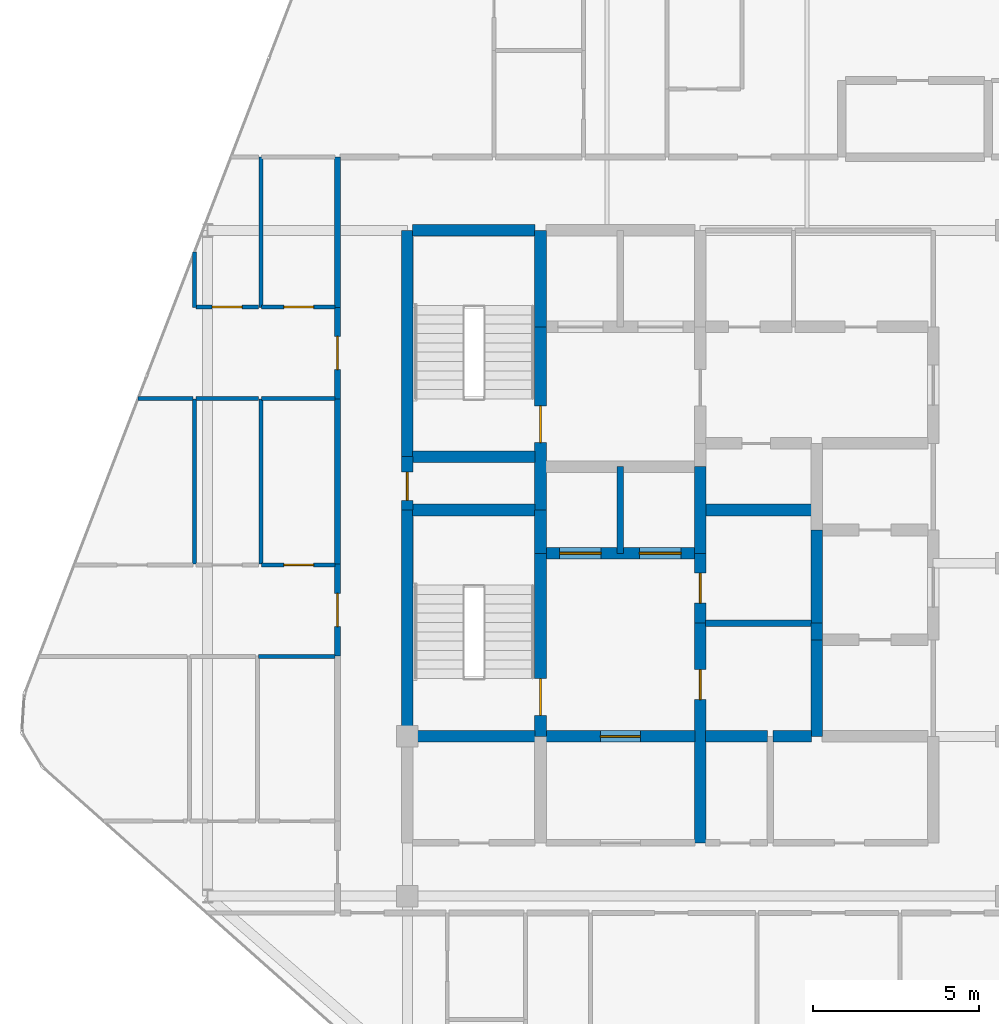
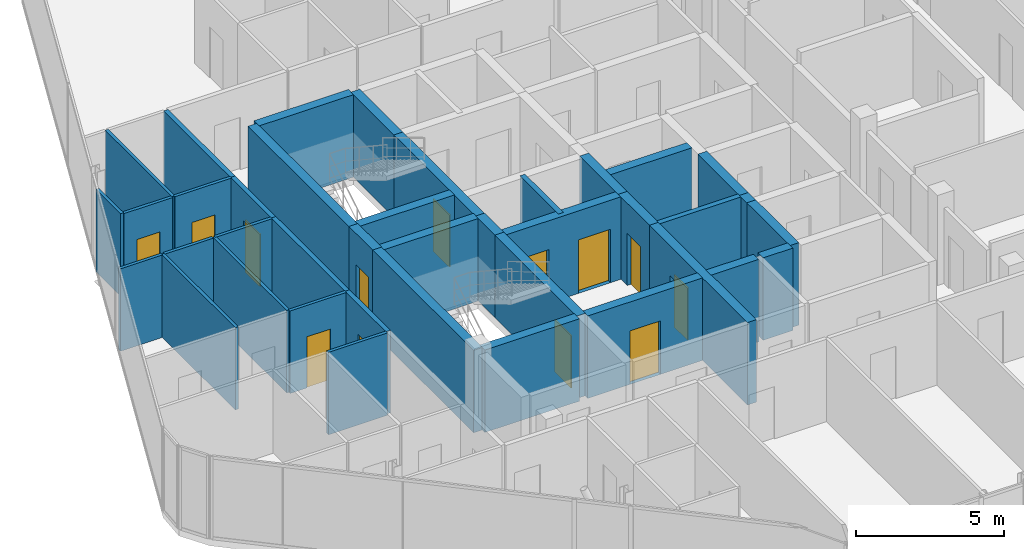
# One storey, part 23 of 27: 39 walls, 13 doors, 13 openings.
"""IFC4 building model written with IfcOpenShell, lengths in metres."""

from ifc_helpers import new_model, si_unit, direction, frame, frame_2d, origin, place, context, subcontext, project, spatial, rectangle, extrude, material, layer, layer_set, type_object, element, fill, save


model = new_model("IFC4")

# Units and contexts
model_context = context("Model", 3, precision=1e-05, world=origin(), true_north=direction((0.0, 1.0)))
body_context = subcontext(model_context, "Body", "Model", "MODEL_VIEW")
ifc_project = project(units=[si_unit("LENGTHUNIT", "METRE"), si_unit("AREAUNIT", "SQUARE_METRE"), si_unit("VOLUMEUNIT", "CUBIC_METRE"), si_unit("PLANEANGLEUNIT", "RADIAN"), si_unit("MASSUNIT", "GRAM", prefix="KILO")], contexts=[model_context])

# Site, building, storey
site_placement = place(None, origin())
site = spatial("IfcSite", under=ifc_project, at=site_placement, CompositionType="ELEMENT")
building_placement = place(site_placement, origin())
building = spatial("IfcBuilding", under=site, at=building_placement, Name="Keshet Zoharim Tower", CompositionType="ELEMENT")
storey_placement = place(building_placement, frame((0.0, 0.0, 291.699951171875)))
storey = spatial("IfcBuildingStorey", under=building, at=storey_placement, Name="L73", CompositionType="ELEMENT", Elevation=291.699951171875)

# Wall
ifc_material_1 = material(Name="Concrete C60/75", Category="concrete")
ifc_layer_1 = layer(ifc_material_1, 0.35009765625)
ifc_layer_set_1 = layer_set([ifc_layer_1], Name="Concrete C60/75")
wall_type_1 = type_object("IfcWallType", Name="WL-CORE-350", PredefinedType="SHEAR", material=ifc_layer_set_1)
wall_1_placement = place(storey_placement, frame((15.0, 22.699951171875, 0.0), z_axis=(0.0, 0.0, 1.0), x_axis=(0.0, 1.0, 0.0)))
element("IfcWall", 1, at=wall_1_placement, inside=storey, type_object=wall_type_1, Name="L73 Core Shear Wall 014", PredefinedType="SHEAR", context=body_context, shape_type="SweptSolid", body=[
    extrude(rectangle(XDim=6.800048828125, YDim=0.35009765625, at=frame_2d((3.39990234375, 0.0))), origin(), (0.0, 0.0, 1.0), 3.39013671875),
])

# Wall, opening, door
wall_2_placement = place(storey_placement, frame((15.0, 29.5, 0.0), z_axis=(0.0, 0.0, 1.0), x_axis=(0.0, 1.0, 0.0)))
wall_2 = element("IfcWall", 2, at=wall_2_placement, inside=storey, type_object=wall_type_1, Name="L73 Core Shear Wall 015", PredefinedType="SHEAR", context=body_context, shape_type="SweptSolid", body=[
    extrude(rectangle(XDim=1.60009765625, YDim=0.35009765625, at=frame_2d((0.800048828125, 0.0))), origin(), (0.0, 0.0, 1.0), 3.39013671875),
])
opening_1_placement = place(wall_2_placement, frame((0.287109375, 0.0, 0.0)))
opening_1 = element("IfcOpeningElement", 3, at=opening_1_placement, cuts=wall_2, Name="Opening D-RS85", PredefinedType="OPENING", context=body_context, shape_type="SweptSolid", body=[
    extrude(rectangle(XDim=0.85009765625, YDim=2.10009765625, at=frame_2d((0.425048828125, 1.050048828125))), frame((0.0, 0.18505859375, 0.0), z_axis=(0.0, -1.0, 0.0), x_axis=(1.0, 0.0, 0.0)), (0.0, 0.0, 1.0), 0.3701171875),
])
ifc_material_2 = material(Name="Hardwood Timber", Category="wood")
door_type_1 = type_object("IfcDoorType", Name="DR-RIS-085", OperationType="NOTDEFINED", PredefinedType="DOOR", material=ifc_material_2)
door_1_placement = place(opening_1_placement, origin())
door_1 = element("IfcDoor", 4, at=door_1_placement, inside=storey, type_object=door_type_1, Name="L73 Electrical Riser Access Cupboard Door", OperationType="SINGLE_SWING_RIGHT", OverallHeight=2.10009765625, OverallWidth=0.85009765625, PredefinedType="DOOR", context=body_context, shape_type="SweptSolid", body=[
    extrude(rectangle(XDim=0.85009765625, YDim=2.10009765625, at=frame_2d((0.425048828125, 1.050048828125))), frame((0.0, 0.02490234375, 0.0), z_axis=(0.0, -1.0, 0.0), x_axis=(1.0, 0.0, 0.0)), (0.0, 0.0, 1.0), 0.050048828125),
])
fill(opening_1, door_1)

# Wall
wall_3_placement = place(storey_placement, frame((15.0, 31.10009765625, 0.0), z_axis=(0.0, 0.0, 1.0), x_axis=(0.0, 1.0, 0.0)))
element("IfcWall", 5, at=wall_3_placement, inside=storey, type_object=wall_type_1, Name="L73 Core Shear Wall 016", PredefinedType="SHEAR", context=body_context, shape_type="SweptSolid", body=[
    extrude(rectangle(XDim=6.7998046875, YDim=0.35009765625, at=frame_2d((3.39990234375, 0.0))), origin(), (0.0, 0.0, 1.0), 3.39013671875),
])

# Wall, opening, door
wall_4_placement = place(storey_placement, frame((19.0, 22.699951171875, 0.0), z_axis=(0.0, 0.0, 1.0), x_axis=(0.0, 1.0, 0.0)))
wall_4 = element("IfcWall", 6, at=wall_4_placement, inside=storey, type_object=wall_type_1, Name="L73 Core Shear Wall 024", PredefinedType="SHEAR", context=body_context, shape_type="SweptSolid", body=[
    extrude(rectangle(XDim=5.5, YDim=0.35009765625, at=frame_2d((2.75, 0.0))), origin(), (0.0, 0.0, 1.0), 3.39013671875),
])
opening_2_placement = place(wall_4_placement, frame((0.631103515625, 0.0, 0.0)))
opening_2 = element("IfcOpeningElement", 7, at=opening_2_placement, cuts=wall_4, Name="Opening D-F611", PredefinedType="OPENING", context=body_context, shape_type="SweptSolid", body=[
    extrude(rectangle(XDim=1.10009765625, YDim=2.14990234375, at=frame_2d((0.550048828125, 1.074951171875))), frame((0.0, 0.18505859375, 0.0), z_axis=(0.0, -1.0, 0.0), x_axis=(1.0, 0.0, 0.0)), (0.0, 0.0, 1.0), 0.3701171875),
])
door_type_2 = type_object("IfcDoorType", Name="DR-FD60-110", OperationType="NOTDEFINED", PredefinedType="DOOR", material=ifc_material_2)
door_2_placement = place(opening_2_placement, origin())
door_2 = element("IfcDoor", 8, at=door_2_placement, inside=storey, type_object=door_type_2, Name="L73 Exit Stair ST-01 Fire Door", OperationType="SINGLE_SWING_RIGHT", OverallHeight=2.14990234375, OverallWidth=1.10009765625, PredefinedType="DOOR", context=body_context, shape_type="SweptSolid", body=[
    extrude(rectangle(XDim=1.10009765625, YDim=2.14990234375, at=frame_2d((0.550048828125, 1.074951171875))), frame((0.0, 0.02490234375, 0.0), z_axis=(0.0, -1.0, 0.0), x_axis=(1.0, 0.0, 0.0)), (0.0, 0.0, 1.0), 0.050048828125),
])
fill(opening_2, door_2)

# Wall
wall_5_placement = place(storey_placement, frame((19.0, 28.199951171875, 0.0), z_axis=(0.0, 0.0, 1.0), x_axis=(0.0, 1.0, 0.0)))
element("IfcWall", 9, at=wall_5_placement, inside=storey, type_object=wall_type_1, Name="L73 Core Shear Wall 025", PredefinedType="SHEAR", context=body_context, shape_type="SweptSolid", body=[
    extrude(rectangle(XDim=1.300048828125, YDim=0.35009765625, at=frame_2d((0.64990234375, 0.0))), origin(), (0.0, 0.0, 1.0), 3.39013671875),
])

# Wall, opening, door
wall_6_placement = place(storey_placement, frame((19.0, 29.5, 0.0), z_axis=(0.0, 0.0, 1.0), x_axis=(0.0, 1.0, 0.0)))
wall_6 = element("IfcWall", 10, at=wall_6_placement, inside=storey, type_object=wall_type_1, Name="L73 Core Shear Wall 026", PredefinedType="SHEAR", context=body_context, shape_type="SweptSolid", body=[
    extrude(rectangle(XDim=5.5, YDim=0.35009765625, at=frame_2d((2.75, 0.0))), origin(), (0.0, 0.0, 1.0), 3.39013671875),
])
opening_3_placement = place(wall_6_placement, frame((2.02490234375, 0.0, 0.0)))
opening_3 = element("IfcOpeningElement", 11, at=opening_3_placement, cuts=wall_6, Name="Opening D-F611", PredefinedType="OPENING", context=body_context, shape_type="SweptSolid", body=[
    extrude(rectangle(XDim=1.10009765625, YDim=2.14990234375, at=frame_2d((0.550048828125, 1.074951171875))), frame((0.0, 0.18505859375, 0.0), z_axis=(0.0, -1.0, 0.0), x_axis=(1.0, 0.0, 0.0)), (0.0, 0.0, 1.0), 0.3701171875),
])
door_3_placement = place(opening_3_placement, origin())
door_3 = element("IfcDoor", 12, at=door_3_placement, inside=storey, type_object=door_type_2, Name="L73 Exit Stair ST-02 Fire Door", OperationType="SINGLE_SWING_LEFT", OverallHeight=2.14990234375, OverallWidth=1.10009765625, PredefinedType="DOOR", context=body_context, shape_type="SweptSolid", body=[
    extrude(rectangle(XDim=1.10009765625, YDim=2.14990234375, at=frame_2d((0.550048828125, 1.074951171875))), frame((0.0, 0.02490234375, 0.0), z_axis=(0.0, -1.0, 0.0), x_axis=(1.0, 0.0, 0.0)), (0.0, 0.0, 1.0), 0.050048828125),
])
fill(opening_3, door_3)

# Wall
wall_7_placement = place(storey_placement, frame((19.0, 35.0, 0.0), z_axis=(0.0, 0.0, 1.0), x_axis=(0.0, 1.0, 0.0)))
element("IfcWall", 13, at=wall_7_placement, inside=storey, type_object=wall_type_1, Name="L73 Core Shear Wall 027", PredefinedType="SHEAR", context=body_context, shape_type="SweptSolid", body=[
    extrude(rectangle(XDim=2.89990234375, YDim=0.35009765625, at=frame_2d((1.449951171875, 0.0))), origin(), (0.0, 0.0, 1.0), 3.39013671875),
])

# Wall, opening, door
wall_8_placement = place(storey_placement, frame((23.800048828125, 19.5, 0.0), z_axis=(0.0, 0.0, 1.0), x_axis=(0.0, 1.0, 0.0)))
wall_8 = element("IfcWall", 14, at=wall_8_placement, inside=storey, type_object=wall_type_1, Name="L73 Core Shear Wall 035", PredefinedType="SHEAR", context=body_context, shape_type="SweptSolid", body=[
    extrude(rectangle(XDim=6.60009765625, YDim=0.35009765625, at=frame_2d((3.300048828125, 0.0))), origin(), (0.0, 0.0, 1.0), 3.39013671875),
])
opening_4_placement = place(wall_8_placement, frame((4.303955078125, 0.0, 0.0)))
opening_4 = element("IfcOpeningElement", 15, at=opening_4_placement, cuts=wall_8, Name="Opening D-F690", PredefinedType="OPENING", context=body_context, shape_type="SweptSolid", body=[
    extrude(rectangle(XDim=0.89990234375, YDim=2.14990234375, at=frame_2d((0.449951171875, 1.074951171875))), frame((0.0, 0.18505859375, 0.0), z_axis=(0.0, -1.0, 0.0), x_axis=(1.0, 0.0, 0.0)), (0.0, 0.0, 1.0), 0.3701171875),
])
door_type_3 = type_object("IfcDoorType", Name="DR-FD60-090", OperationType="NOTDEFINED", PredefinedType="DOOR", material=ifc_material_2)
door_4_placement = place(opening_4_placement, origin())
door_4 = element("IfcDoor", 16, at=door_4_placement, inside=storey, type_object=door_type_3, Name="L73 Core Linen Store Door", OperationType="SINGLE_SWING_LEFT", OverallHeight=2.14990234375, OverallWidth=0.89990234375, PredefinedType="DOOR", context=body_context, shape_type="SweptSolid", body=[
    extrude(rectangle(XDim=0.89990234375, YDim=2.14990234375, at=frame_2d((0.449951171875, 1.074951171875))), frame((0.0, 0.02490234375, 0.0), z_axis=(0.0, -1.0, 0.0), x_axis=(1.0, 0.0, 0.0)), (0.0, 0.0, 1.0), 0.050048828125),
])
fill(opening_4, door_4)

wall_9_placement = place(storey_placement, frame((23.800048828125, 26.10009765625, 0.0), z_axis=(0.0, 0.0, 1.0), x_axis=(0.0, 1.0, 0.0)))
wall_9 = element("IfcWall", 17, at=wall_9_placement, inside=storey, type_object=wall_type_1, Name="L73 Core Shear Wall 036", PredefinedType="SHEAR", context=body_context, shape_type="SweptSolid", body=[
    extrude(rectangle(XDim=2.099853515625, YDim=0.35009765625, at=frame_2d((1.0498046875, 0.0))), origin(), (0.0, 0.0, 1.0), 3.39013671875),
])
opening_5_placement = place(wall_9_placement, frame((0.60009765625, 0.0, 0.0)))
opening_5 = element("IfcOpeningElement", 18, at=opening_5_placement, cuts=wall_9, Name="Opening D-F690", PredefinedType="OPENING", context=body_context, shape_type="SweptSolid", body=[
    extrude(rectangle(XDim=0.89990234375, YDim=2.14990234375, at=frame_2d((0.449951171875, 1.074951171875))), frame((0.0, 0.18505859375, 0.0), z_axis=(0.0, -1.0, 0.0), x_axis=(1.0, 0.0, 0.0)), (0.0, 0.0, 1.0), 0.3701171875),
])
door_5_placement = place(opening_5_placement, origin())
door_5 = element("IfcDoor", 19, at=door_5_placement, inside=storey, type_object=door_type_3, Name="L73 Core Electrical Room Door", OperationType="SINGLE_SWING_RIGHT", OverallHeight=2.14990234375, OverallWidth=0.89990234375, PredefinedType="DOOR", context=body_context, shape_type="SweptSolid", body=[
    extrude(rectangle(XDim=0.89990234375, YDim=2.14990234375, at=frame_2d((0.449951171875, 1.074951171875))), frame((0.0, 0.02490234375, 0.0), z_axis=(0.0, -1.0, 0.0), x_axis=(1.0, 0.0, 0.0)), (0.0, 0.0, 1.0), 0.050048828125),
])
fill(opening_5, door_5)

# Walls
wall_10_placement = place(storey_placement, frame((23.800048828125, 28.199951171875, 0.0), z_axis=(0.0, 0.0, 1.0), x_axis=(0.0, 1.0, 0.0)))
element("IfcWall", 20, at=wall_10_placement, inside=storey, type_object=wall_type_1, Name="L73 Core Shear Wall 037", PredefinedType="SHEAR", context=body_context, shape_type="SweptSolid", body=[
    extrude(rectangle(XDim=2.60009765625, YDim=0.35009765625, at=frame_2d((1.300048828125, 0.0))), origin(), (0.0, 0.0, 1.0), 3.39013671875),
])
wall_11_placement = place(storey_placement, frame((27.300048828125, 22.699951171875, 0.0), z_axis=(0.0, 0.0, 1.0), x_axis=(0.0, 1.0, 0.0)))
element("IfcWall", 21, at=wall_11_placement, inside=storey, type_object=wall_type_1, Name="L73 Core Shear Wall 045", PredefinedType="SHEAR", context=body_context, shape_type="SweptSolid", body=[
    extrude(rectangle(XDim=2.900146484375, YDim=0.35009765625, at=frame_2d((1.4501953125, 0.0))), origin(), (0.0, 0.0, 1.0), 3.39013671875),
])
wall_12_placement = place(storey_placement, frame((27.300048828125, 25.60009765625, 0.0), z_axis=(0.0, 0.0, 1.0), x_axis=(0.0, 1.0, 0.0)))
element("IfcWall", 22, at=wall_12_placement, inside=storey, type_object=wall_type_1, Name="L73 Core Shear Wall 046", PredefinedType="SHEAR", context=body_context, shape_type="SweptSolid", body=[
    extrude(rectangle(XDim=0.5, YDim=0.35009765625, at=frame_2d((0.25, 0.0))), origin(), (0.0, 0.0, 1.0), 3.39013671875),
])
wall_13_placement = place(storey_placement, frame((27.300048828125, 26.10009765625, 0.0), z_axis=(0.0, 0.0, 1.0), x_axis=(0.0, 1.0, 0.0)))
element("IfcWall", 23, at=wall_13_placement, inside=storey, type_object=wall_type_1, Name="L73 Core Shear Wall 047", PredefinedType="SHEAR", context=body_context, shape_type="SweptSolid", body=[
    extrude(rectangle(XDim=2.7998046875, YDim=0.35009765625, at=frame_2d((1.39990234375, 0.0))), origin(), (0.0, 0.0, 1.0), 3.39013671875),
])
wall_14_placement = place(storey_placement, frame((15.159912109375, 22.699951171875, 0.0), z_axis=(0.0, 0.0, 1.0), x_axis=(1.0, 0.0, 0.0)))
element("IfcWall", 24, at=wall_14_placement, inside=storey, type_object=wall_type_1, Name="L73 Core Shear Wall 109", PredefinedType="SHEAR", context=body_context, shape_type="SweptSolid", body=[
    extrude(rectangle(XDim=3.68017578125, YDim=0.35009765625, at=frame_2d((1.840087890625, 0.0))), origin(), (0.0, 0.0, 1.0), 3.39013671875),
])

# Wall, opening, door
wall_15_placement = place(storey_placement, frame((19.159912109375, 22.699951171875, 0.0), z_axis=(0.0, 0.0, 1.0), x_axis=(1.0, 0.0, 0.0)))
wall_15 = element("IfcWall", 25, at=wall_15_placement, inside=storey, type_object=wall_type_1, Name="L73 Core Shear Wall 110", PredefinedType="SHEAR", context=body_context, shape_type="SweptSolid", body=[
    extrude(rectangle(XDim=4.47998046875, YDim=0.35009765625, at=frame_2d((2.239990234375, 0.0))), origin(), (0.0, 0.0, 1.0), 3.39013671875),
])
opening_6_placement = place(wall_15_placement, frame((1.639892578125, 0.0, 0.0)))
opening_6 = element("IfcOpeningElement", 26, at=opening_6_placement, cuts=wall_15, Name="Opening D-F612", PredefinedType="OPENING", context=body_context, shape_type="SweptSolid", body=[
    extrude(rectangle(XDim=1.199951171875, YDim=2.199951171875, at=frame_2d((0.60009765625, 1.10009765625))), frame((0.0, 0.18505859375, 0.0), z_axis=(0.0, -1.0, 0.0), x_axis=(1.0, 0.0, 0.0)), (0.0, 0.0, 1.0), 0.3701171875),
])
door_type_4 = type_object("IfcDoorType", Name="DR-FD60-120", OperationType="NOTDEFINED", PredefinedType="DOOR", material=ifc_material_2)
door_6_placement = place(opening_6_placement, origin())
door_6 = element("IfcDoor", 27, at=door_6_placement, inside=storey, type_object=door_type_4, Name="L73 South Core Lobby Fire Door", OperationType="SINGLE_SWING_LEFT", OverallHeight=2.199951171875, OverallWidth=1.199951171875, PredefinedType="DOOR", context=body_context, shape_type="SweptSolid", body=[
    extrude(rectangle(XDim=1.199951171875, YDim=2.199951171875, at=frame_2d((0.60009765625, 1.10009765625))), frame((0.0, 0.02490234375, 0.0), z_axis=(0.0, -1.0, 0.0), x_axis=(1.0, 0.0, 0.0)), (0.0, 0.0, 1.0), 0.050048828125),
])
fill(opening_6, door_6)

# Walls
wall_16_placement = place(storey_placement, frame((23.9599609375, 22.699951171875, 0.0), z_axis=(0.0, 0.0, 1.0), x_axis=(1.0, 0.0, 0.0)))
element("IfcWall", 28, at=wall_16_placement, inside=storey, type_object=wall_type_1, Name="L73 Core Shear Wall 111", PredefinedType="SHEAR", context=body_context, shape_type="SweptSolid", body=[
    extrude(rectangle(XDim=1.85498046875, YDim=0.35009765625, at=frame_2d((0.927490234375, 0.0))), origin(), (0.0, 0.0, 1.0), 3.39013671875),
])
wall_17_placement = place(storey_placement, frame((25.985107421875, 22.699951171875, 0.0), z_axis=(0.0, 0.0, 1.0), x_axis=(1.0, 0.0, 0.0)))
element("IfcWall", 29, at=wall_17_placement, inside=storey, type_object=wall_type_1, Name="L73 Core Shear Wall 112", PredefinedType="SHEAR", context=body_context, shape_type="SweptSolid", body=[
    extrude(rectangle(XDim=1.15478515625, YDim=0.35009765625, at=frame_2d((0.577392578125, 0.0))), origin(), (0.0, 0.0, 1.0), 3.39013671875),
])

# Wall, openings, doors
wall_18_placement = place(storey_placement, frame((19.159912109375, 28.199951171875, 0.0), z_axis=(0.0, 0.0, 1.0), x_axis=(1.0, 0.0, 0.0)))
wall_18 = element("IfcWall", 30, at=wall_18_placement, inside=storey, type_object=wall_type_1, Name="L73 Core Shear Wall 126", PredefinedType="SHEAR", context=body_context, shape_type="SweptSolid", body=[
    extrude(rectangle(XDim=4.47998046875, YDim=0.35009765625, at=frame_2d((2.239990234375, 0.0))), origin(), (0.0, 0.0, 1.0), 3.39013671875),
])
opening_7_placement = place(wall_18_placement, frame((0.4150390625, 0.0, 0.0)))
opening_7 = element("IfcOpeningElement", 31, at=opening_7_placement, cuts=wall_18, Name="Opening LD-01", PredefinedType="OPENING", context=body_context, shape_type="SweptSolid", body=[
    extrude(rectangle(XDim=1.25, YDim=2.199951171875, at=frame_2d((0.625, 1.10009765625))), frame((0.0, 0.18505859375, 0.0), z_axis=(0.0, -1.0, 0.0), x_axis=(1.0, 0.0, 0.0)), (0.0, 0.0, 1.0), 0.3701171875),
])
opening_8_placement = place(wall_18_placement, frame((2.81494140625, 0.0, 0.0)))
opening_8 = element("IfcOpeningElement", 32, at=opening_8_placement, cuts=wall_18, Name="Opening LD-01", PredefinedType="OPENING", context=body_context, shape_type="SweptSolid", body=[
    extrude(rectangle(XDim=1.25, YDim=2.199951171875, at=frame_2d((0.625, 1.10009765625))), frame((0.0, 0.18505859375, 0.0), z_axis=(0.0, -1.0, 0.0), x_axis=(1.0, 0.0, 0.0)), (0.0, 0.0, 1.0), 0.3701171875),
])
ifc_material_3 = material(Name="Steel S355", Category="steel")
door_type_5 = type_object("IfcDoorType", Name="DR-LD01-125", OperationType="DOUBLE_DOOR_SLIDING", PredefinedType="DOOR", material=ifc_material_3)
door_7_placement = place(opening_7_placement, origin())
door_7 = element("IfcDoor", 33, at=door_7_placement, inside=storey, type_object=door_type_5, Name="L73 Passenger Lift Landing Door LF-09", OperationType="DOUBLE_DOOR_SLIDING", OverallHeight=2.199951171875, OverallWidth=1.25, PredefinedType="DOOR", context=body_context, shape_type="SweptSolid", body=[
    extrude(rectangle(XDim=1.25, YDim=2.199951171875, at=frame_2d((0.625, 1.10009765625))), frame((0.0, 0.02490234375, 0.0), z_axis=(0.0, -1.0, 0.0), x_axis=(1.0, 0.0, 0.0)), (0.0, 0.0, 1.0), 0.050048828125),
])
fill(opening_7, door_7)
door_8_placement = place(opening_8_placement, origin())
door_8 = element("IfcDoor", 34, at=door_8_placement, inside=storey, type_object=door_type_5, Name="L73 Passenger Lift Landing Door LF-10", OperationType="DOUBLE_DOOR_SLIDING", OverallHeight=2.199951171875, OverallWidth=1.25, PredefinedType="DOOR", context=body_context, shape_type="SweptSolid", body=[
    extrude(rectangle(XDim=1.25, YDim=2.199951171875, at=frame_2d((0.625, 1.10009765625))), frame((0.0, 0.02490234375, 0.0), z_axis=(0.0, -1.0, 0.0), x_axis=(1.0, 0.0, 0.0)), (0.0, 0.0, 1.0), 0.050048828125),
])
fill(opening_8, door_8)

# Walls
wall_19_placement = place(storey_placement, frame((15.159912109375, 29.5, 0.0), z_axis=(0.0, 0.0, 1.0), x_axis=(1.0, 0.0, 0.0)))
element("IfcWall", 35, at=wall_19_placement, inside=storey, type_object=wall_type_1, Name="L73 Core Shear Wall 128", PredefinedType="SHEAR", context=body_context, shape_type="SweptSolid", body=[
    extrude(rectangle(XDim=3.68017578125, YDim=0.35009765625, at=frame_2d((1.840087890625, 0.0))), origin(), (0.0, 0.0, 1.0), 3.39013671875),
])
wall_20_placement = place(storey_placement, frame((23.9599609375, 29.5, 0.0), z_axis=(0.0, 0.0, 1.0), x_axis=(1.0, 0.0, 0.0)))
element("IfcWall", 36, at=wall_20_placement, inside=storey, type_object=wall_type_1, Name="L73 Core Shear Wall 129", PredefinedType="SHEAR", context=body_context, shape_type="SweptSolid", body=[
    extrude(rectangle(XDim=3.179931640625, YDim=0.35009765625, at=frame_2d((1.58984375, 0.0))), origin(), (0.0, 0.0, 1.0), 3.39013671875),
])
for number, where, z_axis, x_axis, name in (
    (37, (15.159912109375, 31.10009765625, 0.0), (0.0, 0.0, 1.0), (1.0, 0.0, 0.0), "L73 Core Shear Wall 131"),
    (38, (15.159912109375, 37.89990234375, 0.0), (0.0, 0.0, 1.0), (1.0, 0.0, 0.0), "L73 Core Shear Wall 145"),
):
    element("IfcWall", number, at=place(storey_placement, frame(where, z_axis=z_axis, x_axis=x_axis)), inside=storey, type_object=wall_type_1, Name=name, PredefinedType="SHEAR", context=body_context, shape_type="SweptSolid", body=[
        extrude(rectangle(XDim=3.68017578125, YDim=0.35009765625, at=frame_2d((1.840087890625, 0.0))), origin(), (0.0, 0.0, 1.0), 3.39013671875),
    ])

# Wall, opening, door
ifc_material_4 = material(Name="Gypsum Plasterboard", Category="gypsum")
ifc_layer_2 = layer(ifc_material_4, 0.179931640625)
ifc_layer_set_2 = layer_set([ifc_layer_2], Name="Gypsum Plasterboard")
wall_type_2 = type_object("IfcWallType", Name="WL-CORR-180", PredefinedType="STANDARD", material=ifc_layer_set_2)
wall_21_placement = place(storey_placement, frame((12.89990234375, 25.1201171875, 0.0), z_axis=(0.0, 0.0, 1.0), x_axis=(0.0, 1.0, 0.0)))
wall_21 = element("IfcWall", 39, at=wall_21_placement, inside=storey, type_object=wall_type_2, Name="L73 Interior Wall 009", PredefinedType="STANDARD", context=body_context, shape_type="SweptSolid", body=[
    extrude(rectangle(XDim=2.75, YDim=0.179931640625, at=frame_2d((1.375, 0.0))), origin(), (0.0, 0.0, 1.0), 3.39013671875),
])
opening_9_placement = place(wall_21_placement, frame((0.875, 0.0, 0.0)))
opening_9 = element("IfcOpeningElement", 40, at=opening_9_placement, cuts=wall_21, Name="Opening D-F310", PredefinedType="OPENING", context=body_context, shape_type="SweptSolid", body=[
    extrude(rectangle(XDim=1.0, YDim=2.14990234375, at=frame_2d((0.5, 1.074951171875))), frame((0.0, 0.10009765625, 0.0), z_axis=(0.0, -1.0, 0.0), x_axis=(1.0, 0.0, 0.0)), (0.0, 0.0, 1.0), 0.199951171875),
])
door_type_6 = type_object("IfcDoorType", Name="DR-FD30-100", OperationType="NOTDEFINED", PredefinedType="DOOR", material=ifc_material_2)
door_9_placement = place(opening_9_placement, origin())
door_9 = element("IfcDoor", 41, at=door_9_placement, inside=storey, type_object=door_type_6, Name="Apartment 7306 Entrance Door", OperationType="SINGLE_SWING_RIGHT", OverallHeight=2.14990234375, OverallWidth=1.0, PredefinedType="DOOR", context=body_context, shape_type="SweptSolid", body=[
    extrude(rectangle(XDim=1.0, YDim=2.14990234375, at=frame_2d((0.5, 1.074951171875))), frame((0.0, 0.02490234375, 0.0), z_axis=(0.0, -1.0, 0.0), x_axis=(1.0, 0.0, 0.0)), (0.0, 0.0, 1.0), 0.050048828125),
])
fill(opening_9, door_9)

# Wall
wall_22_placement = place(storey_placement, frame((12.89990234375, 27.8701171875, 0.0), z_axis=(0.0, 0.0, 1.0), x_axis=(0.0, 1.0, 0.0)))
element("IfcWall", 42, at=wall_22_placement, inside=storey, type_object=wall_type_2, Name="L73 Interior Wall 010", PredefinedType="STANDARD", context=body_context, shape_type="SweptSolid", body=[
    extrude(rectangle(XDim=4.969970703125, YDim=0.179931640625, at=frame_2d((2.48486328125, 0.0))), origin(), (0.0, 0.0, 1.0), 3.39013671875),
])

# Wall, opening, door
wall_23_placement = place(storey_placement, frame((12.89990234375, 32.840087890625, 0.0), z_axis=(0.0, 0.0, 1.0), x_axis=(0.0, 1.0, 0.0)))
wall_23 = element("IfcWall", 43, at=wall_23_placement, inside=storey, type_object=wall_type_2, Name="L73 Interior Wall 011", PredefinedType="STANDARD", context=body_context, shape_type="SweptSolid", body=[
    extrude(rectangle(XDim=2.75, YDim=0.179931640625, at=frame_2d((1.375, 0.0))), origin(), (0.0, 0.0, 1.0), 3.39013671875),
])
opening_10_placement = place(wall_23_placement, frame((0.875, 0.0, 0.0)))
opening_10 = element("IfcOpeningElement", 44, at=opening_10_placement, cuts=wall_23, Name="Opening D-F310", PredefinedType="OPENING", context=body_context, shape_type="SweptSolid", body=[
    extrude(rectangle(XDim=1.0, YDim=2.14990234375, at=frame_2d((0.5, 1.074951171875))), frame((0.0, 0.10009765625, 0.0), z_axis=(0.0, -1.0, 0.0), x_axis=(1.0, 0.0, 0.0)), (0.0, 0.0, 1.0), 0.199951171875),
])
door_10_placement = place(opening_10_placement, origin())
door_10 = element("IfcDoor", 45, at=door_10_placement, inside=storey, type_object=door_type_6, Name="Apartment 7307 Entrance Door", OperationType="SINGLE_SWING_LEFT", OverallHeight=2.14990234375, OverallWidth=1.0, PredefinedType="DOOR", context=body_context, shape_type="SweptSolid", body=[
    extrude(rectangle(XDim=1.0, YDim=2.14990234375, at=frame_2d((0.5, 1.074951171875))), frame((0.0, 0.02490234375, 0.0), z_axis=(0.0, -1.0, 0.0), x_axis=(1.0, 0.0, 0.0)), (0.0, 0.0, 1.0), 0.050048828125),
])
fill(opening_10, door_10)

# Walls
wall_24_placement = place(storey_placement, frame((12.89990234375, 35.590087890625, 0.0), z_axis=(0.0, 0.0, 1.0), x_axis=(0.0, 1.0, 0.0)))
element("IfcWall", 46, at=wall_24_placement, inside=storey, type_object=wall_type_2, Name="L73 Interior Wall 012", PredefinedType="STANDARD", context=body_context, shape_type="SweptSolid", body=[
    extrude(rectangle(XDim=4.510009765625, YDim=0.179931640625, at=frame_2d((2.2548828125, 0.0))), origin(), (0.0, 0.0, 1.0), 3.39013671875),
])
ifc_material_5 = material(Name="Concrete C50/60", Category="concrete")
ifc_layer_3 = layer(ifc_material_5, 0.199951171875)
ifc_layer_set_3 = layer_set([ifc_layer_3], Name="Concrete C50/60")
wall_type_3 = type_object("IfcWallType", Name="WL-FIRE-200", PredefinedType="STANDARD", material=ifc_layer_set_3)
wall_25_placement = place(storey_placement, frame((21.39990234375, 28.199951171875, 0.0), z_axis=(0.0, 0.0, 1.0), x_axis=(0.0, 1.0, 0.0)))
element("IfcWall", 47, at=wall_25_placement, inside=storey, type_object=wall_type_3, Name="L73 Interior Wall 031", PredefinedType="STANDARD", context=body_context, shape_type="SweptSolid", body=[
    extrude(rectangle(XDim=2.60009765625, YDim=0.199951171875, at=frame_2d((1.300048828125, 0.0))), origin(), (0.0, 0.0, 1.0), 3.39013671875),
])
wall_26_placement = place(storey_placement, frame((23.9599609375, 26.10009765625, 0.0), z_axis=(0.0, 0.0, 1.0), x_axis=(1.0, 0.0, 0.0)))
element("IfcWall", 48, at=wall_26_placement, inside=storey, type_object=wall_type_3, Name="L73 Interior Wall 119", PredefinedType="STANDARD", context=body_context, shape_type="SweptSolid", body=[
    extrude(rectangle(XDim=3.179931640625, YDim=0.199951171875, at=frame_2d((1.58984375, 0.0))), origin(), (0.0, 0.0, 1.0), 3.39013671875),
])
ifc_layer_4 = layer(ifc_material_4, 0.1201171875)
ifc_layer_set_4 = layer_set([ifc_layer_4], Name="Gypsum Plasterboard")
wall_type_4 = type_object("IfcWallType", Name="WL-PART-120", PredefinedType="PARTITIONING", material=ifc_layer_set_4)
wall_27_placement = place(storey_placement, frame((8.60009765625, 27.8701171875, 0.0), z_axis=(0.0, 0.0, 1.0), x_axis=(0.0, 1.0, 0.0)))
element("IfcWall", 49, at=wall_27_placement, inside=storey, type_object=wall_type_4, Name="L73 Interior Wall 002", PredefinedType="PARTITIONING", context=body_context, shape_type="SweptSolid", body=[
    extrude(rectangle(XDim=4.969970703125, YDim=0.1201171875, at=frame_2d((2.48486328125, 0.0))), origin(), (0.0, 0.0, 1.0), 3.39013671875),
])
wall_28_placement = place(storey_placement, frame((8.60009765625, 35.590087890625, 0.0), z_axis=(0.0, 0.0, 1.0), x_axis=(0.0, 1.0, 0.0)))
element("IfcWall", 50, at=wall_28_placement, inside=storey, type_object=wall_type_4, Name="L73 Interior Wall 003", PredefinedType="PARTITIONING", context=body_context, shape_type="SweptSolid", body=[
    extrude(rectangle(XDim=1.659912109375, YDim=0.1201171875, at=frame_2d((0.830078125, 0.0))), origin(), (0.0, 0.0, 1.0), 3.39013671875),
])
wall_29_placement = place(storey_placement, frame((6.9140625, 32.85009765625, 0.0), z_axis=(0.0, 0.0, 1.0), x_axis=(1.0, 0.0, 0.0)))
element("IfcWall", 51, at=wall_29_placement, inside=storey, type_object=wall_type_4, Name="L73 Interior Wall 135", PredefinedType="PARTITIONING", context=body_context, shape_type="SweptSolid", body=[
    extrude(rectangle(XDim=1.640869140625, YDim=0.1201171875, at=frame_2d((0.8203125, 0.0))), origin(), (0.0, 0.0, 1.0), 3.39013671875),
])
wall_30_placement = place(storey_placement, frame((8.64501953125, 32.85009765625, 0.0), z_axis=(0.0, 0.0, 1.0), x_axis=(1.0, 0.0, 0.0)))
element("IfcWall", 52, at=wall_30_placement, inside=storey, type_object=wall_type_4, Name="L73 Interior Wall 136", PredefinedType="PARTITIONING", context=body_context, shape_type="SweptSolid", body=[
    extrude(rectangle(XDim=1.887939453125, YDim=0.1201171875, at=frame_2d((0.94384765625, 0.0))), origin(), (0.0, 0.0, 1.0), 3.39013671875),
])

# Wall, opening, door
wall_31_placement = place(storey_placement, frame((8.64501953125, 35.60009765625, 0.0), z_axis=(0.0, 0.0, 1.0), x_axis=(1.0, 0.0, 0.0)))
wall_31 = element("IfcWall", 53, at=wall_31_placement, inside=storey, type_object=wall_type_4, Name="L73 Interior Wall 142", PredefinedType="PARTITIONING", context=body_context, shape_type="SweptSolid", body=[
    extrude(rectangle(XDim=1.887939453125, YDim=0.1201171875, at=frame_2d((0.94384765625, 0.0))), origin(), (0.0, 0.0, 1.0), 3.39013671875),
])
opening_11_placement = place(wall_31_placement, frame((0.493896484375, 0.0, 0.0)))
opening_11 = element("IfcOpeningElement", 54, at=opening_11_placement, cuts=wall_31, Name="Opening D-IN90", PredefinedType="OPENING", context=body_context, shape_type="SweptSolid", body=[
    extrude(rectangle(XDim=0.89990234375, YDim=2.14990234375, at=frame_2d((0.449951171875, 1.074951171875))), frame((0.0, 0.070068359375, 0.0), z_axis=(0.0, -1.0, 0.0), x_axis=(1.0, 0.0, 0.0)), (0.0, 0.0, 1.0), 0.14013671875),
])
door_type_7 = type_object("IfcDoorType", Name="DR-INT-090", OperationType="NOTDEFINED", PredefinedType="DOOR", material=ifc_material_2)
door_11_placement = place(opening_11_placement, origin())
door_11 = element("IfcDoor", 55, at=door_11_placement, inside=storey, type_object=door_type_7, Name="Apartment 7307 Kitchen Door", OperationType="SINGLE_SWING_RIGHT", OverallHeight=2.14990234375, OverallWidth=0.89990234375, PredefinedType="DOOR", context=body_context, shape_type="SweptSolid", body=[
    extrude(rectangle(XDim=0.89990234375, YDim=2.14990234375, at=frame_2d((0.449951171875, 1.074951171875))), frame((0.0, 0.02490234375, 0.0), z_axis=(0.0, -1.0, 0.0), x_axis=(1.0, 0.0, 0.0)), (0.0, 0.0, 1.0), 0.050048828125),
])
fill(opening_11, door_11)

# Walls
ifc_layer_5 = layer(ifc_material_4, 0.1201171875)
ifc_layer_set_5 = layer_set([ifc_layer_5], Name="Gypsum Plasterboard")
wall_type_5 = type_object("IfcWallType", Name="WL-WET-120", PredefinedType="PARTITIONING", material=ifc_layer_set_5)
wall_32_placement = place(storey_placement, frame((10.60009765625, 27.8701171875, 0.0), z_axis=(0.0, 0.0, 1.0), x_axis=(0.0, 1.0, 0.0)))
element("IfcWall", 56, at=wall_32_placement, inside=storey, type_object=wall_type_5, Name="L73 Interior Wall 005", PredefinedType="PARTITIONING", context=body_context, shape_type="SweptSolid", body=[
    extrude(rectangle(XDim=4.969970703125, YDim=0.1201171875, at=frame_2d((2.48486328125, 0.0))), origin(), (0.0, 0.0, 1.0), 3.39013671875),
])
wall_33_placement = place(storey_placement, frame((10.60009765625, 35.590087890625, 0.0), z_axis=(0.0, 0.0, 1.0), x_axis=(0.0, 1.0, 0.0)))
element("IfcWall", 57, at=wall_33_placement, inside=storey, type_object=wall_type_5, Name="L73 Interior Wall 006", PredefinedType="PARTITIONING", context=body_context, shape_type="SweptSolid", body=[
    extrude(rectangle(XDim=4.510009765625, YDim=0.1201171875, at=frame_2d((2.2548828125, 0.0))), origin(), (0.0, 0.0, 1.0), 3.39013671875),
])
wall_34_placement = place(storey_placement, frame((10.530029296875, 25.10009765625, 0.0), z_axis=(0.0, 0.0, 1.0), x_axis=(1.0, 0.0, 0.0)))
element("IfcWall", 58, at=wall_34_placement, inside=storey, type_object=wall_type_5, Name="L73 Interior Wall 117", PredefinedType="PARTITIONING", context=body_context, shape_type="SweptSolid", body=[
    extrude(rectangle(XDim=2.294921875, YDim=0.1201171875, at=frame_2d((1.1474609375, 0.0))), origin(), (0.0, 0.0, 1.0), 3.39013671875),
])

# Wall, opening, door
wall_35_placement = place(storey_placement, frame((10.623046875, 27.85009765625, 0.0), z_axis=(0.0, 0.0, 1.0), x_axis=(1.0, 0.0, 0.0)))
wall_35 = element("IfcWall", 59, at=wall_35_placement, inside=storey, type_object=wall_type_5, Name="L73 Interior Wall 123", PredefinedType="PARTITIONING", context=body_context, shape_type="SweptSolid", body=[
    extrude(rectangle(XDim=2.201904296875, YDim=0.1201171875, at=frame_2d((1.10107421875, 0.0))), origin(), (0.0, 0.0, 1.0), 3.39013671875),
])
opening_12_placement = place(wall_35_placement, frame((0.666015625, 0.0, 0.0)))
opening_12 = element("IfcOpeningElement", 60, at=opening_12_placement, cuts=wall_35, Name="Opening D-WT90", PredefinedType="OPENING", context=body_context, shape_type="SweptSolid", body=[
    extrude(rectangle(XDim=0.89990234375, YDim=2.10009765625, at=frame_2d((0.449951171875, 1.050048828125))), frame((0.0, 0.070068359375, 0.0), z_axis=(0.0, -1.0, 0.0), x_axis=(1.0, 0.0, 0.0)), (0.0, 0.0, 1.0), 0.14013671875),
])
door_type_8 = type_object("IfcDoorType", Name="DR-WET-090", OperationType="NOTDEFINED", PredefinedType="DOOR", material=ifc_material_2)
door_12_placement = place(opening_12_placement, origin())
door_12 = element("IfcDoor", 61, at=door_12_placement, inside=storey, type_object=door_type_8, Name="Apartment 7306 Bathroom Door", OperationType="SINGLE_SWING_LEFT", OverallHeight=2.10009765625, OverallWidth=0.89990234375, PredefinedType="DOOR", context=body_context, shape_type="SweptSolid", body=[
    extrude(rectangle(XDim=0.89990234375, YDim=2.10009765625, at=frame_2d((0.449951171875, 1.050048828125))), frame((0.0, 0.02490234375, 0.0), z_axis=(0.0, -1.0, 0.0), x_axis=(1.0, 0.0, 0.0)), (0.0, 0.0, 1.0), 0.050048828125),
])
fill(opening_12, door_12)

# Wall
wall_36_placement = place(storey_placement, frame((10.623046875, 32.85009765625, 0.0), z_axis=(0.0, 0.0, 1.0), x_axis=(1.0, 0.0, 0.0)))
element("IfcWall", 62, at=wall_36_placement, inside=storey, type_object=wall_type_5, Name="L73 Interior Wall 137", PredefinedType="PARTITIONING", context=body_context, shape_type="SweptSolid", body=[
    extrude(rectangle(XDim=2.201904296875, YDim=0.1201171875, at=frame_2d((1.10107421875, 0.0))), origin(), (0.0, 0.0, 1.0), 3.39013671875),
])

# Wall, opening, door
wall_37_placement = place(storey_placement, frame((10.623046875, 35.60009765625, 0.0), z_axis=(0.0, 0.0, 1.0), x_axis=(1.0, 0.0, 0.0)))
wall_37 = element("IfcWall", 63, at=wall_37_placement, inside=storey, type_object=wall_type_5, Name="L73 Interior Wall 143", PredefinedType="PARTITIONING", context=body_context, shape_type="SweptSolid", body=[
    extrude(rectangle(XDim=2.201904296875, YDim=0.1201171875, at=frame_2d((1.10107421875, 0.0))), origin(), (0.0, 0.0, 1.0), 3.39013671875),
])
opening_13_placement = place(wall_37_placement, frame((0.666015625, 0.0, 0.0)))
opening_13 = element("IfcOpeningElement", 64, at=opening_13_placement, cuts=wall_37, Name="Opening D-WT90", PredefinedType="OPENING", context=body_context, shape_type="SweptSolid", body=[
    extrude(rectangle(XDim=0.89990234375, YDim=2.10009765625, at=frame_2d((0.449951171875, 1.050048828125))), frame((0.0, 0.070068359375, 0.0), z_axis=(0.0, -1.0, 0.0), x_axis=(1.0, 0.0, 0.0)), (0.0, 0.0, 1.0), 0.14013671875),
])
door_13_placement = place(opening_13_placement, origin())
door_13 = element("IfcDoor", 65, at=door_13_placement, inside=storey, type_object=door_type_8, Name="Apartment 7307 Bathroom Door", OperationType="SINGLE_SWING_LEFT", OverallHeight=2.10009765625, OverallWidth=0.89990234375, PredefinedType="DOOR", context=body_context, shape_type="SweptSolid", body=[
    extrude(rectangle(XDim=0.89990234375, YDim=2.10009765625, at=frame_2d((0.449951171875, 1.050048828125))), frame((0.0, 0.02490234375, 0.0), z_axis=(0.0, -1.0, 0.0), x_axis=(1.0, 0.0, 0.0)), (0.0, 0.0, 1.0), 0.050048828125),
])
fill(opening_13, door_13)

save(model, "model.ifc")
